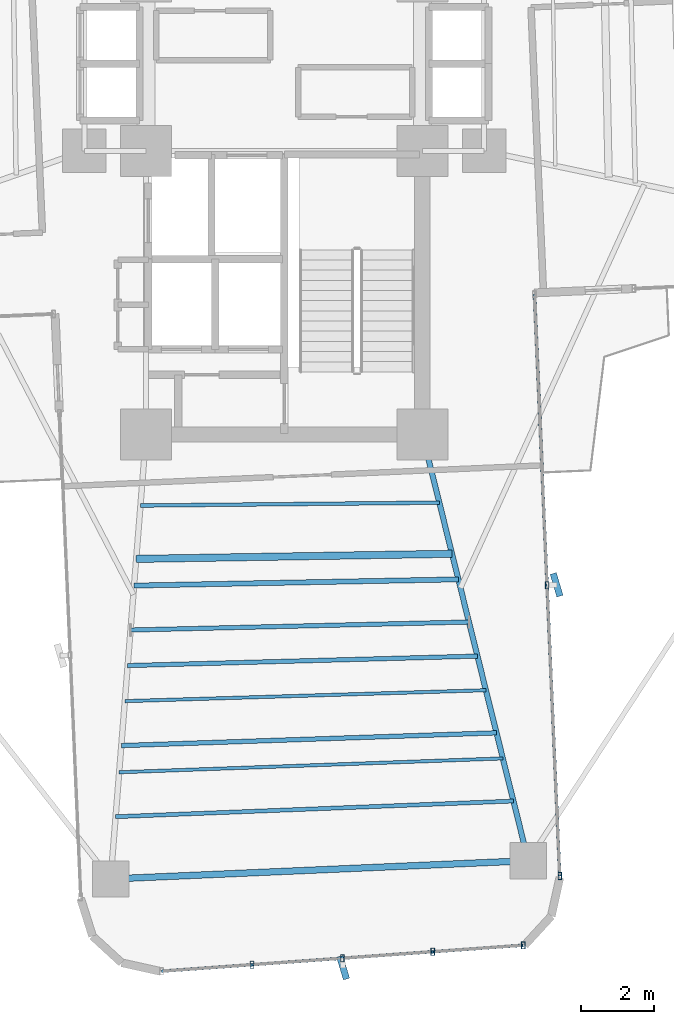
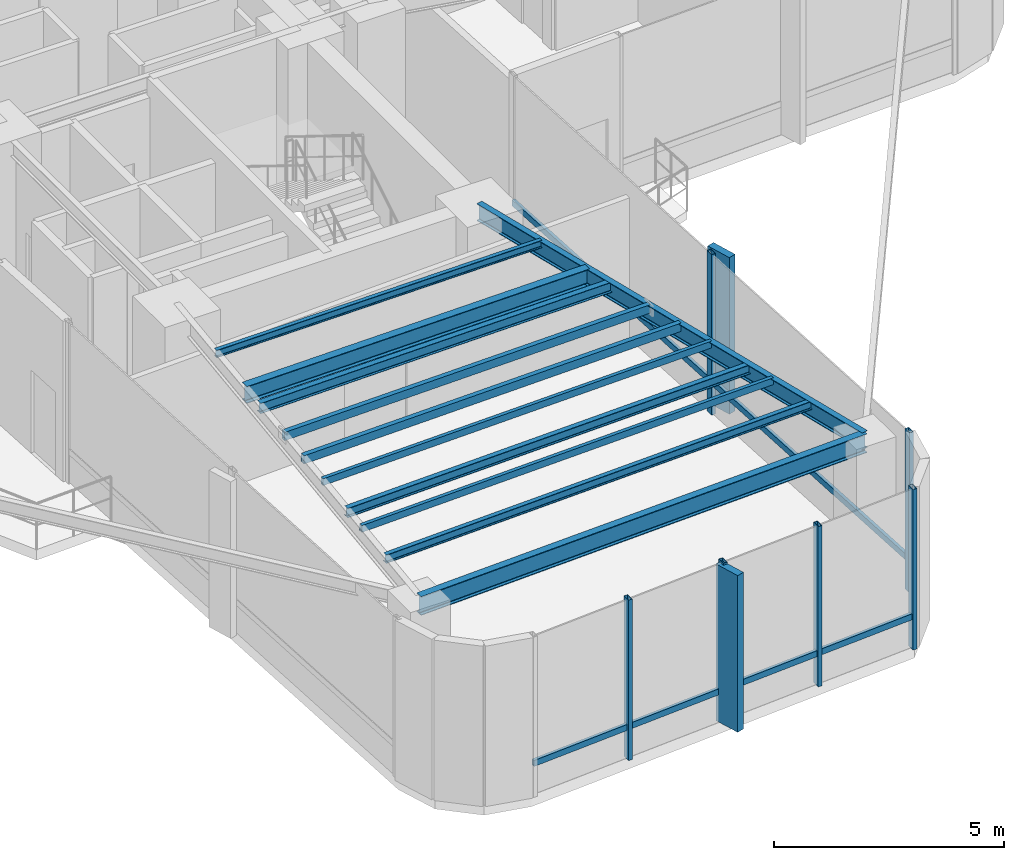
# One storey, part 3 of 23: 14 members, 11 beams, 2 elements without a shape of their own.
"""IFC4 building model written with IfcOpenShell, lengths in metres."""

from ifc_helpers import new_model, si_unit, direction, frame, origin, origin_2d, place, context, subcontext, project, spatial, rectangle, hollow_rectangle, i_section, extrude, source, transform, mapped, material, material_profile, profile_set, type_object, element, aggregate, save


model = new_model("IFC4")

# Units and contexts
model_context = context("Model", 3, precision=1e-05, world=origin(), true_north=direction((0.0, 1.0)))
body_context = subcontext(model_context, "Body", "Model", "MODEL_VIEW")
ifc_project = project(units=[si_unit("LENGTHUNIT", "METRE"), si_unit("AREAUNIT", "SQUARE_METRE"), si_unit("VOLUMEUNIT", "CUBIC_METRE"), si_unit("PLANEANGLEUNIT", "RADIAN"), si_unit("MASSUNIT", "GRAM", prefix="KILO")], contexts=[model_context])

# Site, building, storey
site_placement = place(None, origin())
site = spatial("IfcSite", under=ifc_project, at=site_placement, CompositionType="ELEMENT")
building_placement = place(site_placement, origin())
building = spatial("IfcBuilding", under=site, at=building_placement, Name="Sahyath Konkavel Grand Hotel", CompositionType="ELEMENT")
storey_placement = place(building_placement, frame((0.0, 0.0, 106.949951171875)))
storey = spatial("IfcBuildingStorey", under=building, at=storey_placement, Name="L29", CompositionType="ELEMENT", Elevation=106.949951171875)

# Beams
ifc_material_1 = material(Name="Steel E350", Category="steel")
ifc_material_profile_1 = material_profile(ifc_material_1, i_section(OverallWidth=0.14990234375, OverallDepth=0.449951171875, WebThickness=0.009521484375, FlangeThickness=0.017333984375, FilletRadius=0.014892578125, at=origin_2d()), Name="ISMB 450")
ifc_profile_set_1 = profile_set([ifc_material_profile_1], Name="Steel E350")
beam_type_1 = type_object("IfcBeamType", Name="BM-ISMB450", PredefinedType="BEAM", material=ifc_profile_set_1)
shared_shape_1 = source(origin(), body_context, "Body", "SweptSolid", [
    extrude(i_section(OverallWidth=0.14990234375, OverallDepth=0.449951171875, WebThickness=0.009521484375, FlangeThickness=0.017333984375, FilletRadius=0.014892578125, at=origin_2d()), origin(), (0.0, 0.0, 1.0), 12.084228515625),
])
beam_1_placement = place(storey_placement, frame((3.800048828125, -10.199951171875, 4.03515625), z_axis=(0.241042688481, -0.970514514229, 0.0), x_axis=(0.970514514229, 0.241042688481, 0.0)))
element("IfcBeam", 1, at=beam_1_placement, inside=storey, type_object=beam_type_1, Name="L29 Cruciform Radial Girder SB", PredefinedType="BEAM", context=body_context, shape_type="MappedRepresentation", body=[
    mapped(shared_shape_1, transform((0.0, 0.0, 0.0), scale=1.0)),
])
ifc_material_profile_2 = material_profile(ifc_material_1, i_section(OverallWidth=0.179931640625, OverallDepth=0.5, WebThickness=0.01025390625, FlangeThickness=0.01708984375, FilletRadius=0.01708984375, at=origin_2d()), Name="ISMB 500")
ifc_profile_set_2 = profile_set([ifc_material_profile_2], Name="Steel E350")
beam_type_2 = type_object("IfcBeamType", Name="BM-ISMB500", PredefinedType="BEAM", material=ifc_profile_set_2)
shared_shape_2 = source(origin(), body_context, "Body", "SweptSolid", [
    extrude(i_section(OverallWidth=0.179931640625, OverallDepth=0.5, WebThickness=0.01025390625, FlangeThickness=0.01708984375, FilletRadius=0.01708984375, at=origin_2d()), origin(), (0.0, 0.0, 1.0), 11.5),
])
beam_2_placement = place(storey_placement, frame((-4.776123046875, -22.4296875, 4.010009765625), z_axis=(0.99904788879, 0.043627008892, 0.0), x_axis=(-0.043627008892, 0.99904788879, 0.0)))
element("IfcBeam", 2, at=beam_2_placement, inside=storey, type_object=beam_type_2, Name="L29 Wing Tip Edge Beam S", PredefinedType="BEAM", context=body_context, shape_type="MappedRepresentation", body=[
    mapped(shared_shape_2, transform((0.0, 0.0, 0.0), scale=1.0)),
])
ifc_material_profile_3 = material_profile(ifc_material_1, i_section(OverallWidth=0.199951171875, OverallDepth=0.449951171875, WebThickness=0.00927734375, FlangeThickness=0.015380859375, FilletRadius=0.01611328125, at=origin_2d()), Name="ISWB 450")
ifc_profile_set_3 = profile_set([ifc_material_profile_3], Name="Steel E350")
beam_type_3 = type_object("IfcBeamType", Name="BM-ISWB450", PredefinedType="BEAM", material=ifc_profile_set_3)
shared_shape_3 = source(origin(), body_context, "Body", "SweptSolid", [
    extrude(i_section(OverallWidth=0.199951171875, OverallDepth=0.449951171875, WebThickness=0.00927734375, FlangeThickness=0.015380859375, FilletRadius=0.01611328125, at=origin_2d()), origin(), (0.0, 0.0, 1.0), 8.68994140625),
])
beam_3_placement = place(storey_placement, frame((-4.0732421875, -13.624267578125, 4.03515625), z_axis=(0.999869506431, 0.016154569283, 0.0), x_axis=(-0.016154569283, 0.999869506431, 0.0)))
element("IfcBeam", 3, at=beam_3_placement, inside=storey, type_object=beam_type_3, Name="L29 Secondary Floor Beam S-1", PredefinedType="BEAM", context=body_context, shape_type="MappedRepresentation", body=[
    mapped(shared_shape_3, transform((0.0, 0.0, 0.0), scale=1.0)),
])
ifc_material_profile_4 = material_profile(ifc_material_1, hollow_rectangle(XDim=0.1201171875, YDim=0.219970703125, WallThickness=0.010009765625, at=origin_2d()), Name="RHS 220x120x10")
ifc_profile_set_4 = profile_set([ifc_material_profile_4], Name="Steel E350")
beam_type_4 = type_object("IfcBeamType", Name="BM-RHS220", PredefinedType="BEAM", material=ifc_profile_set_4)
shared_shape_4 = source(origin(), body_context, "Body", "SweptSolid", [
    extrude(hollow_rectangle(XDim=0.1201171875, YDim=0.219970703125, WallThickness=0.010009765625, at=origin_2d()), origin(), (0.0, 0.0, 1.0), 9.625732421875),
])
beam_4_placement = place(storey_placement, frame((-4.3076171875, -16.559326171875, 4.150146484375), z_axis=(0.999633060528, 0.027087714933, 0.0), x_axis=(-0.027087714933, 0.999633060528, 0.0)))
element("IfcBeam", 4, at=beam_4_placement, inside=storey, type_object=beam_type_4, Name="L29 Secondary Floor Beam S-2", PredefinedType="BEAM", context=body_context, shape_type="MappedRepresentation", body=[
    mapped(shared_shape_4, transform((0.0, 0.0, 0.0), scale=1.0)),
])
ifc_material_profile_5 = material_profile(ifc_material_1, hollow_rectangle(XDim=0.090087890625, YDim=0.179931640625, WallThickness=0.008056640625, at=origin_2d()), Name="RHS 180x90x8")
ifc_profile_set_5 = profile_set([ifc_material_profile_5], Name="Steel E350")
beam_type_5 = type_object("IfcBeamType", Name="BM-RHS180", PredefinedType="BEAM", material=ifc_profile_set_5)
shared_shape_5 = source(origin(), body_context, "Body", "SweptSolid", [
    extrude(hollow_rectangle(XDim=0.090087890625, YDim=0.179931640625, WallThickness=0.008056640625, at=origin_2d()), origin(), (0.0, 0.0, 1.0), 10.562744140625),
])
beam_5_placement = place(storey_placement, frame((-4.5419921875, -19.49462890625, 4.170166015625), z_axis=(0.999348077295, 0.036102914095, 0.0), x_axis=(-0.036102914095, 0.999348077295, 0.0)))
element("IfcBeam", 5, at=beam_5_placement, inside=storey, type_object=beam_type_5, Name="L29 Secondary Floor Beam S-3", PredefinedType="BEAM", context=body_context, shape_type="MappedRepresentation", body=[
    mapped(shared_shape_5, transform((0.0, 0.0, 0.0), scale=1.0)),
])
ifc_material_profile_6 = material_profile(ifc_material_1, i_section(OverallWidth=0.10009765625, OverallDepth=0.199951171875, WebThickness=0.005615234375, FlangeThickness=0.0107421875, FilletRadius=0.010986328125, at=origin_2d()), Name="ISMB 200")
ifc_profile_set_6 = profile_set([ifc_material_profile_6], Name="Steel E350")
beam_type_6 = type_object("IfcBeamType", Name="BM-ISMB200", PredefinedType="BEAM", material=ifc_profile_set_6)
shared_shape_6 = source(origin(), body_context, "Body", "SweptSolid", [
    extrude(i_section(OverallWidth=0.10009765625, OverallDepth=0.199951171875, WebThickness=0.005615234375, FlangeThickness=0.0107421875, FilletRadius=0.010986328125, at=origin_2d()), origin(), (0.0, 0.0, 1.0), 8.222900390625),
])
beam_6_placement = place(storey_placement, frame((-3.956298828125, -12.15673828125, 4.16015625), z_axis=(0.999952289679, 0.009768232528, 0.0), x_axis=(-0.009768232528, 0.999952289679, 0.0)))
element("IfcBeam", 6, at=beam_6_placement, inside=storey, type_object=beam_type_6, Name="L29 Composite Deck Sub-Beam S-1", PredefinedType="BEAM", context=body_context, shape_type="MappedRepresentation", body=[
    mapped(shared_shape_6, transform((0.0, 0.0, 0.0), scale=1.0)),
])
ifc_material_profile_7 = material_profile(ifc_material_1, i_section(OverallWidth=0.139892578125, OverallDepth=0.27490234375, WebThickness=0.00634765625, FlangeThickness=0.0087890625, FilletRadius=0.012939453125, at=origin_2d()), Name="ISLB 275")
ifc_profile_set_7 = profile_set([ifc_material_profile_7], Name="Steel E350")
beam_type_7 = type_object("IfcBeamType", Name="BM-ISLB275", PredefinedType="BEAM", material=ifc_profile_set_7)
shared_shape_7 = source(origin(), body_context, "Body", "SweptSolid", [
    extrude(i_section(OverallWidth=0.139892578125, OverallDepth=0.27490234375, WebThickness=0.00634765625, FlangeThickness=0.0087890625, FilletRadius=0.012939453125, at=origin_2d()), origin(), (0.0, 0.0, 1.0), 8.923828125),
])
beam_7_placement = place(storey_placement, frame((-4.1318359375, -14.358154296875, 4.12255859375), z_axis=(0.99981712713, 0.019123605743, 0.0), x_axis=(-0.019123605743, 0.99981712713, 0.0)))
element("IfcBeam", 7, at=beam_7_placement, inside=storey, type_object=beam_type_7, Name="L29 Composite Deck Sub-Beam S-2", PredefinedType="BEAM", context=body_context, shape_type="MappedRepresentation", body=[
    mapped(shared_shape_7, transform((0.0, 0.0, 0.0), scale=1.0)),
])
shared_shape_8 = source(origin(), body_context, "Body", "SweptSolid", [
    extrude(hollow_rectangle(XDim=0.1201171875, YDim=0.219970703125, WallThickness=0.010009765625, at=origin_2d()), origin(), (0.0, 0.0, 1.0), 9.31396484375),
])
beam_8_placement = place(storey_placement, frame((-4.2294921875, -15.5810546875, 4.150146484375), z_axis=(0.999719207624, 0.023696115884, 0.0), x_axis=(-0.023696115884, 0.999719207624, 0.0)))
element("IfcBeam", 8, at=beam_8_placement, inside=storey, type_object=beam_type_4, Name="L29 Composite Deck Sub-Beam S-3", PredefinedType="BEAM", context=body_context, shape_type="MappedRepresentation", body=[
    mapped(shared_shape_8, transform((0.0, 0.0, 0.0), scale=1.0)),
])
shared_shape_9 = source(origin(), body_context, "Body", "SweptSolid", [
    extrude(hollow_rectangle(XDim=0.090087890625, YDim=0.179931640625, WallThickness=0.008056640625, at=origin_2d()), origin(), (0.0, 0.0, 1.0), 9.93798828125),
])
beam_9_placement = place(storey_placement, frame((-4.3857421875, -17.537841796875, 4.170166015625), z_axis=(0.999541134068, 0.030290614159, 0.0), x_axis=(-0.030290614159, 0.999541134068, 0.0)))
element("IfcBeam", 9, at=beam_9_placement, inside=storey, type_object=beam_type_5, Name="L29 Composite Deck Sub-Beam S-4", PredefinedType="BEAM", context=body_context, shape_type="MappedRepresentation", body=[
    mapped(shared_shape_9, transform((0.0, 0.0, 0.0), scale=1.0)),
])
ifc_material_profile_8 = material_profile(ifc_material_1, i_section(OverallWidth=0.125, OverallDepth=0.25, WebThickness=0.0068359375, FlangeThickness=0.012451171875, FilletRadius=0.012939453125, at=origin_2d()), Name="ISMB 250")
ifc_profile_set_8 = profile_set([ifc_material_profile_8], Name="Steel E350")
beam_type_8 = type_object("IfcBeamType", Name="BM-ISMB250", PredefinedType="BEAM", material=ifc_profile_set_8)
shared_shape_10 = source(origin(), body_context, "Body", "SweptSolid", [
    extrude(i_section(OverallWidth=0.125, OverallDepth=0.25, WebThickness=0.0068359375, FlangeThickness=0.012451171875, FilletRadius=0.012939453125, at=origin_2d()), origin(), (0.0, 0.0, 1.0), 10.328369140625),
])
beam_10_placement = place(storey_placement, frame((-4.4833984375, -18.7607421875, 4.135009765625), z_axis=(0.999422142561, 0.033990895225, 0.0), x_axis=(-0.033990895225, 0.999422142561, 0.0)))
element("IfcBeam", 10, at=beam_10_placement, inside=storey, type_object=beam_type_8, Name="L29 Composite Deck Sub-Beam S-5", PredefinedType="BEAM", context=body_context, shape_type="MappedRepresentation", body=[
    mapped(shared_shape_10, transform((0.0, 0.0, 0.0), scale=1.0)),
])
ifc_material_profile_9 = material_profile(ifc_material_1, i_section(OverallWidth=0.110107421875, OverallDepth=0.22509765625, WebThickness=0.006591796875, FlangeThickness=0.01171875, FilletRadius=0.011962890625, at=origin_2d()), Name="ISMB 225")
ifc_profile_set_9 = profile_set([ifc_material_profile_9], Name="Steel E350")
beam_type_9 = type_object("IfcBeamType", Name="BM-ISMB225", PredefinedType="BEAM", material=ifc_profile_set_9)
shared_shape_11 = source(origin(), body_context, "Body", "SweptSolid", [
    extrude(i_section(OverallWidth=0.110107421875, OverallDepth=0.22509765625, WebThickness=0.006591796875, FlangeThickness=0.01171875, FilletRadius=0.011962890625, at=origin_2d()), origin(), (0.0, 0.0, 1.0), 10.953125),
])
beam_11_placement = place(storey_placement, frame((-4.639404296875, -20.717529296875, 4.1474609375), z_axis=(0.99922407579, 0.039385864996, 0.0), x_axis=(-0.039385864996, 0.99922407579, 0.0)))
element("IfcBeam", 11, at=beam_11_placement, inside=storey, type_object=beam_type_9, Name="L29 Composite Deck Sub-Beam S-6", PredefinedType="BEAM", context=body_context, shape_type="MappedRepresentation", body=[
    mapped(shared_shape_11, transform((0.0, 0.0, 0.0), scale=1.0)),
])

# Curtain wall, members
ifc_material_2 = material(Name="Anodised Bronze Aluminium & Low-E Glazing", Category="aluminium")
curtain_wall_type = type_object("IfcCurtainWallType", Name="CW-SKYLOBBY", PredefinedType="NOTDEFINED", material=ifc_material_2)
curtain_wall_1_placement = place(storey_placement, origin())
curtain_wall_1 = element("IfcCurtainWall", 12, at=curtain_wall_1_placement, inside=storey, type_object=curtain_wall_type, Name="L29 Unitised Curtain Wall F28", PredefinedType="NOTDEFINED")
ifc_material_3 = material(Name="Anodised Bronze Aluminium", Category="aluminium")
ifc_material_profile_10 = material_profile(ifc_material_3, hollow_rectangle(XDim=0.10009765625, YDim=0.199951171875, WallThickness=0.008056640625, at=origin_2d()), Name="RHS 200x100x8")
ifc_profile_set_10 = profile_set([ifc_material_profile_10], Name="Anodised Bronze Aluminium")
member_type_1 = type_object("IfcMemberType", Name="CW-MUL-200", PredefinedType="MULLION", material=ifc_profile_set_10)
shared_shape_12 = source(origin(), body_context, "Body", "SweptSolid", [
    extrude(hollow_rectangle(XDim=0.10009765625, YDim=0.199951171875, WallThickness=0.008056640625, at=origin_2d()), origin(), (0.0, 0.0, 1.0), 4.260009765625),
])
member_1_placement = place(storey_placement, frame((-0.886962890625, -24.79150390625, 0.0), z_axis=(0.0, 0.0, 1.0), x_axis=(1.0, 0.0, 0.0)))
member_1 = element("IfcMember", 13, at=member_1_placement, type_object=member_type_1, Name="L29 Curtain Wall Mullion F28-1", PredefinedType="MULLION", context=body_context, shape_type="MappedRepresentation", body=[
    mapped(shared_shape_12, transform((0.0, 0.0, 0.0), scale=1.0)),
])
member_2_placement = place(storey_placement, frame((1.60009765625, -24.61279296875, 0.0), z_axis=(0.0, 0.0, 1.0), x_axis=(1.0, 0.0, 0.0)))
member_2 = element("IfcMember", 14, at=member_2_placement, type_object=member_type_1, Name="L29 Curtain Wall Mullion F28-2", PredefinedType="MULLION", context=body_context, shape_type="MappedRepresentation", body=[
    mapped(shared_shape_12, transform((0.0, 0.0, 0.0), scale=1.0)),
])
member_3_placement = place(storey_placement, frame((4.087158203125, -24.4345703125, 0.0), z_axis=(0.0, 0.0, 1.0), x_axis=(1.0, 0.0, 0.0)))
member_3 = element("IfcMember", 15, at=member_3_placement, type_object=member_type_1, Name="L29 Curtain Wall Mullion F28-3", PredefinedType="MULLION", context=body_context, shape_type="MappedRepresentation", body=[
    mapped(shared_shape_12, transform((0.0, 0.0, 0.0), scale=1.0)),
])
member_4_placement = place(storey_placement, frame((6.57421875, -24.256103515625, 0.0), z_axis=(0.0, 0.0, 1.0), x_axis=(1.0, 0.0, 0.0)))
member_4 = element("IfcMember", 16, at=member_4_placement, type_object=member_type_1, Name="L29 Curtain Wall Mullion F28-4", PredefinedType="MULLION", context=body_context, shape_type="MappedRepresentation", body=[
    mapped(shared_shape_12, transform((0.0, 0.0, 0.0), scale=1.0)),
])

curtain_wall_2_placement = place(storey_placement, origin())
curtain_wall_2 = element("IfcCurtainWall", 17, at=curtain_wall_2_placement, inside=storey, type_object=curtain_wall_type, Name="L29 Unitised Curtain Wall F31", PredefinedType="NOTDEFINED")
member_5_placement = place(storey_placement, frame((7.582275390625, -22.3505859375, 0.0), z_axis=(0.0, 0.0, 1.0), x_axis=(1.0, 0.0, 0.0)))
member_5 = element("IfcMember", 18, at=member_5_placement, type_object=member_type_1, Name="L29 Curtain Wall Mullion F31-0", PredefinedType="MULLION", context=body_context, shape_type="MappedRepresentation", body=[
    mapped(shared_shape_12, transform((0.0, 0.0, 0.0), scale=1.0)),
])
member_6_placement = place(storey_placement, frame((7.232666015625, -14.34814453125, 0.0), z_axis=(0.0, 0.0, 1.0), x_axis=(1.0, 0.0, 0.0)))
member_6 = element("IfcMember", 19, at=member_6_placement, type_object=member_type_1, Name="L29 Curtain Wall Mullion F31-1", PredefinedType="MULLION", context=body_context, shape_type="MappedRepresentation", body=[
    mapped(shared_shape_12, transform((0.0, 0.0, 0.0), scale=1.0)),
])

# Member
ifc_material_4 = material(Name="Warm Buff Sandstone Cladding on Concrete C50/60", Category="masonry")
ifc_material_profile_11 = material_profile(ifc_material_4, rectangle(XDim=0.179931640625, YDim=0.64990234375, at=origin_2d()), Name="FIN 180x650")
ifc_profile_set_11 = profile_set([ifc_material_profile_11], Name="Warm Buff Sandstone Cladding on Concrete C50/60")
member_type_2 = type_object("IfcMemberType", Name="FIN-SANDSTONE-650", PredefinedType="MULLION", material=ifc_profile_set_11)
shared_shape_13 = source(origin(), body_context, "Body", "SweptSolid", [
    extrude(rectangle(XDim=0.179931640625, YDim=0.64990234375, at=origin_2d()), origin(), (0.0, 0.0, 1.0), 4.159912109375),
])
member_7_placement = place(storey_placement, frame((1.61865234375, -24.872314453125, 0.050048828125), z_axis=(0.0, 0.0, 1.0), x_axis=(0.957621645958, 0.288029136015, 0.0)))
member_7 = element("IfcMember", 20, at=member_7_placement, type_object=member_type_2, Name="L29 Sandstone Vertical Solar Fin FIN F28-2", PredefinedType="MULLION", context=body_context, shape_type="MappedRepresentation", body=[
    mapped(shared_shape_13, transform((0.0, 0.0, 0.0), scale=1.0)),
])

member_8_placement = place(storey_placement, frame((7.492431640625, -14.3369140625, 0.050048828125), z_axis=(0.0, 0.0, 1.0), x_axis=(0.958720536398, 0.28435001862, 0.0)))
member_8 = element("IfcMember", 21, at=member_8_placement, type_object=member_type_2, Name="L29 Sandstone Vertical Solar Fin FIN F31-1", PredefinedType="MULLION", context=body_context, shape_type="MappedRepresentation", body=[
    mapped(shared_shape_13, transform((0.0, 0.0, 0.0), scale=1.0)),
])

ifc_material_profile_12 = material_profile(ifc_material_3, hollow_rectangle(XDim=0.080078125, YDim=0.159912109375, WallThickness=0.006103515625, at=origin_2d()), Name="RHS 160x80x6")
ifc_profile_set_12 = profile_set([ifc_material_profile_12], Name="Anodised Bronze Aluminium")
member_type_3 = type_object("IfcMemberType", Name="CW-TRN-160", PredefinedType="USERDEFINED", material=ifc_profile_set_12)
shared_shape_14 = source(origin(), body_context, "Body", "SweptSolid", [
    extrude(hollow_rectangle(XDim=0.080078125, YDim=0.159912109375, WallThickness=0.006103515625, at=origin_2d()), origin(), (0.0, 0.0, 1.0), 2.493408203125),
])
member_9_placement = place(storey_placement, frame((-3.3740234375, -24.9697265625, 0.85009765625), z_axis=(0.997442271688, 0.071476672066, 0.0), x_axis=(-0.071476672066, 0.997442271688, 0.0)))
member_9 = element("IfcMember", 22, at=member_9_placement, type_object=member_type_3, Name="L29 Curtain Wall Transom F28-0-spandrel", ObjectType="TRANSOM", PredefinedType="USERDEFINED", context=body_context, shape_type="MappedRepresentation", body=[
    mapped(shared_shape_14, transform((0.0, 0.0, 0.0), scale=1.0)),
])

member_10_placement = place(storey_placement, frame((-0.886962890625, -24.79150390625, 0.85009765625), z_axis=(0.997428291631, 0.071671494009, 0.0), x_axis=(-0.071671494009, 0.997428291631, 0.0)))
member_10 = element("IfcMember", 23, at=member_10_placement, type_object=member_type_3, Name="L29 Curtain Wall Transom F28-1-spandrel", ObjectType="TRANSOM", PredefinedType="USERDEFINED", context=body_context, shape_type="MappedRepresentation", body=[
    mapped(shared_shape_14, transform((0.0, 0.0, 0.0), scale=1.0)),
])

member_11_placement = place(storey_placement, frame((1.60009765625, -24.61279296875, 0.85009765625), z_axis=(0.997442271688, 0.071476672066, 0.0), x_axis=(-0.071476672066, 0.997442271688, 0.0)))
member_11 = element("IfcMember", 24, at=member_11_placement, type_object=member_type_3, Name="L29 Curtain Wall Transom F28-2-spandrel", ObjectType="TRANSOM", PredefinedType="USERDEFINED", context=body_context, shape_type="MappedRepresentation", body=[
    mapped(shared_shape_14, transform((0.0, 0.0, 0.0), scale=1.0)),
])

member_12_placement = place(storey_placement, frame((4.087158203125, -24.4345703125, 0.85009765625), z_axis=(0.997435286367, 0.071574084062, 0.0), x_axis=(-0.071574084062, 0.997435286367, 0.0)))
member_12 = element("IfcMember", 25, at=member_12_placement, type_object=member_type_3, Name="L29 Curtain Wall Transom F28-3-spandrel", ObjectType="TRANSOM", PredefinedType="USERDEFINED", context=body_context, shape_type="MappedRepresentation", body=[
    mapped(shared_shape_14, transform((0.0, 0.0, 0.0), scale=1.0)),
])

aggregate(curtain_wall_1, [member_1, member_2, member_7, member_3, member_4, member_9, member_10, member_11, member_12])

shared_shape_15 = source(origin(), body_context, "Body", "SweptSolid", [
    extrude(hollow_rectangle(XDim=0.080078125, YDim=0.159912109375, WallThickness=0.006103515625, at=origin_2d()), origin(), (0.0, 0.0, 1.0), 8.010009765625),
])
member_13_placement = place(storey_placement, frame((7.582275390625, -22.3505859375, 0.85009765625), z_axis=(-0.043646207089, 0.999047050247, 0.0), x_axis=(-0.999047050247, -0.043646207089, 0.0)))
member_13 = element("IfcMember", 26, at=member_13_placement, type_object=member_type_3, Name="L29 Curtain Wall Transom F31-0-spandrel", ObjectType="TRANSOM", PredefinedType="USERDEFINED", context=body_context, shape_type="MappedRepresentation", body=[
    mapped(shared_shape_15, transform((0.0, 0.0, 0.0), scale=1.0)),
])

member_14_placement = place(storey_placement, frame((7.232666015625, -14.34814453125, 0.85009765625), z_axis=(-0.043615785896, 0.999048378819, 0.0), x_axis=(-0.999048378819, -0.043615785896, 0.0)))
member_14 = element("IfcMember", 27, at=member_14_placement, type_object=member_type_3, Name="L29 Curtain Wall Transom F31-1-spandrel", ObjectType="TRANSOM", PredefinedType="USERDEFINED", context=body_context, shape_type="MappedRepresentation", body=[
    mapped(shared_shape_15, transform((0.0, 0.0, 0.0), scale=1.0)),
])

aggregate(curtain_wall_2, [member_5, member_6, member_8, member_13, member_14])

save(model, "model.ifc")
